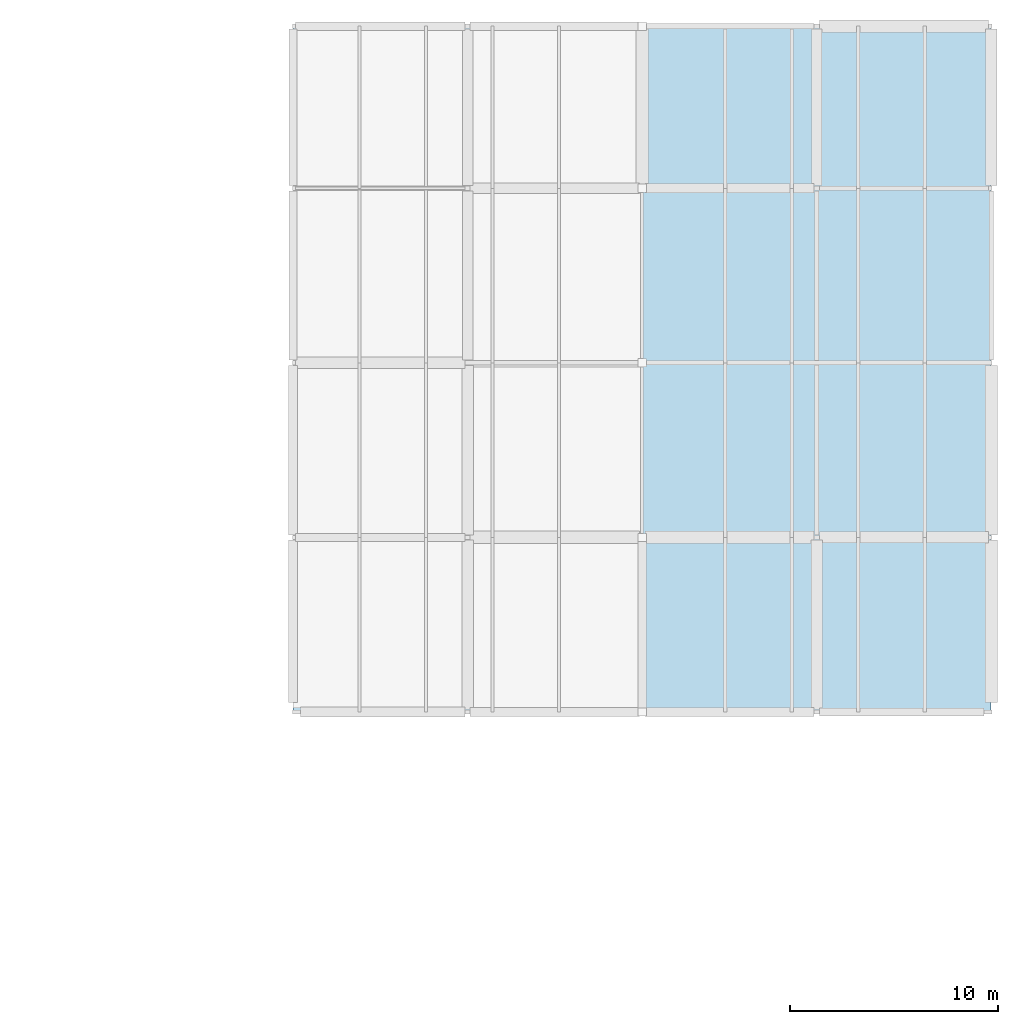
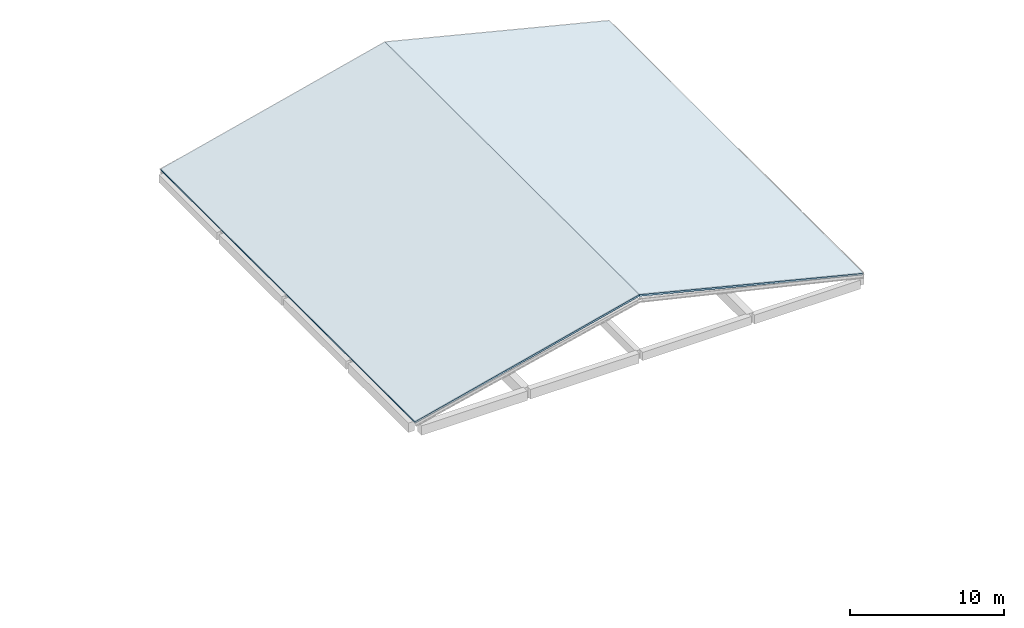
# One storey, part 17 of 42: 2 slabs.
"""IFC4 building model written with IfcOpenShell, lengths in metres."""

from ifc_helpers import new_model, si_unit, derived_unit, direction, frame, origin, place, context, subcontext, project, spatial, polyline, outline, extrude, material, layer, layer_set, type_object, element, save


model = new_model("IFC4")

# Units and contexts
model_context = context("Model", 3, precision=1e-05, world=origin(), true_north=direction((0.0, 1.0)))
body_context = subcontext(model_context, "Body", "Model", "MODEL_VIEW")
ifc_project = project(units=[si_unit("LENGTHUNIT", "METRE"), si_unit("AREAUNIT", "SQUARE_METRE"), si_unit("VOLUMEUNIT", "CUBIC_METRE"), si_unit("PLANEANGLEUNIT", "RADIAN"), si_unit("MASSUNIT", "GRAM", prefix="KILO"), derived_unit("THERMALTRANSMITTANCEUNIT", [(si_unit("POWERUNIT", "WATT"), 1), (si_unit("LENGTHUNIT", "METRE"), -2), (si_unit("THERMODYNAMICTEMPERATUREUNIT", "KELVIN"), -1)])], contexts=[model_context])

# Site, building, storey
site_placement = place(None, origin())
site = spatial("IfcSite", under=ifc_project, at=site_placement, CompositionType="ELEMENT")
building_placement = place(site_placement, origin())
building = spatial("IfcBuilding", under=site, at=building_placement, Name="Barrovel Congress Hotel", CompositionType="ELEMENT")
storey_placement = place(building_placement, frame((0.0, 0.0, 18.300048828125)))
storey = spatial("IfcBuildingStorey", under=building, at=storey_placement, Name="L04", CompositionType="ELEMENT", Elevation=18.300048828125)

# Slabs
ifc_material = material(Name="Concrete C35", Category="concrete")
ifc_layer = layer(ifc_material, 0.139892578125)
ifc_layer_set = layer_set([ifc_layer], Name="Concrete C35")
slab_type = type_object("IfcSlabType", Name="SL-R140", PredefinedType="ROOF", material=ifc_layer_set)
slab_1_placement = place(storey_placement, frame((142.800048828125, 79.800048828125, 0.0), z_axis=(-0.241921791261, 0.0, 0.970295752291), x_axis=(0.970295752291, 0.0, 0.241921791261)))
element("IfcSlab", 1, at=slab_1_placement, inside=storey, type_object=slab_type, Name="SLAB:V3-ROOF-W", PredefinedType="ROOF", context=body_context, shape_type="SweptSolid", body=[
    extrude(outline(polyline([(0.0, 0.0), (17.314358831795424, 0.0), (17.314358831795424, 33.0), (0.0, 33.0), (0.0, 0.0)])), origin(), (0.0, 0.0, -1.0), 0.139892578125),
])
slab_2_placement = place(storey_placement, frame((159.60009765625, 79.800048828125, 4.188720703125), z_axis=(0.241925101189, 0.0, 0.970294927027), x_axis=(0.970294927027, 0.0, -0.241925101189)))
element("IfcSlab", 2, at=slab_2_placement, inside=storey, type_object=slab_type, Name="SLAB:V3-ROOF-E", PredefinedType="ROOF", context=body_context, shape_type="SweptSolid", body=[
    extrude(outline(polyline([(0.0, 0.0), (17.314121943284768, 0.0), (17.314121943284768, 33.00000000000001), (0.0, 33.00000000000001), (0.0, 0.0)])), origin(), (0.0, 0.0, -1.0), 0.139892578125),
])

save(model, "model.ifc")
